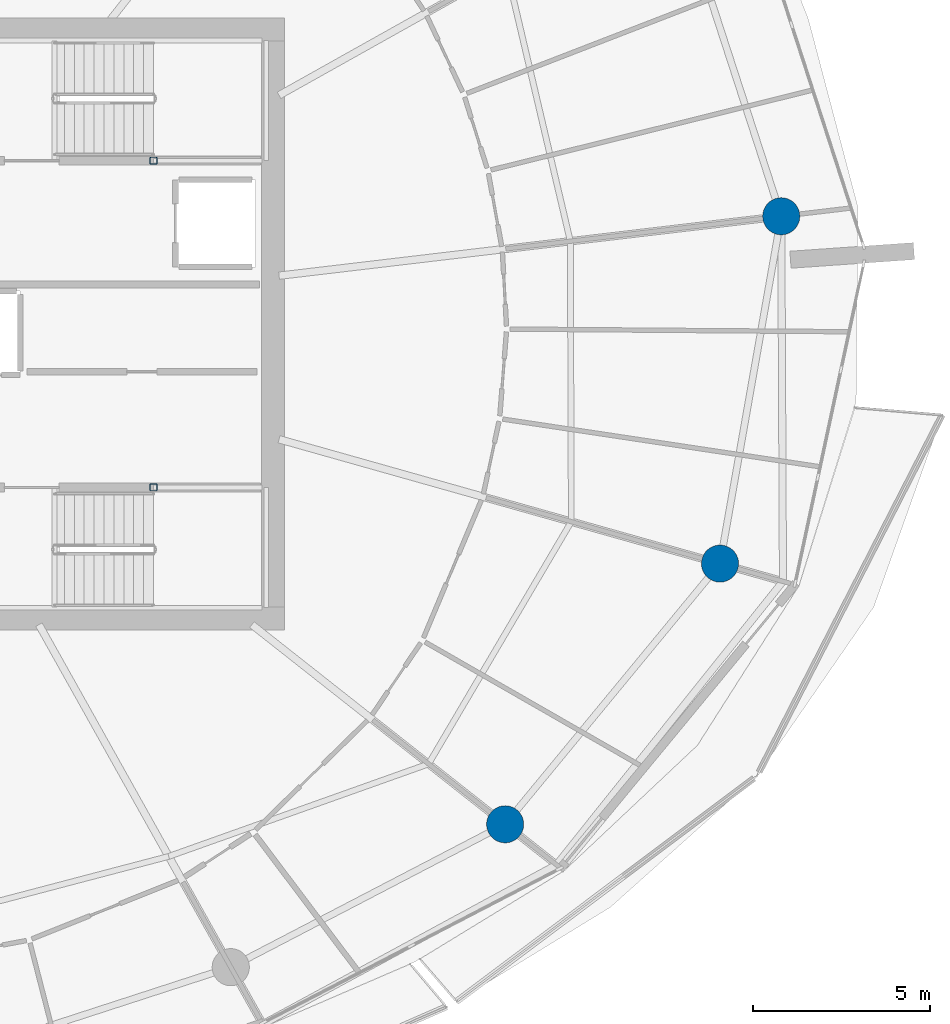
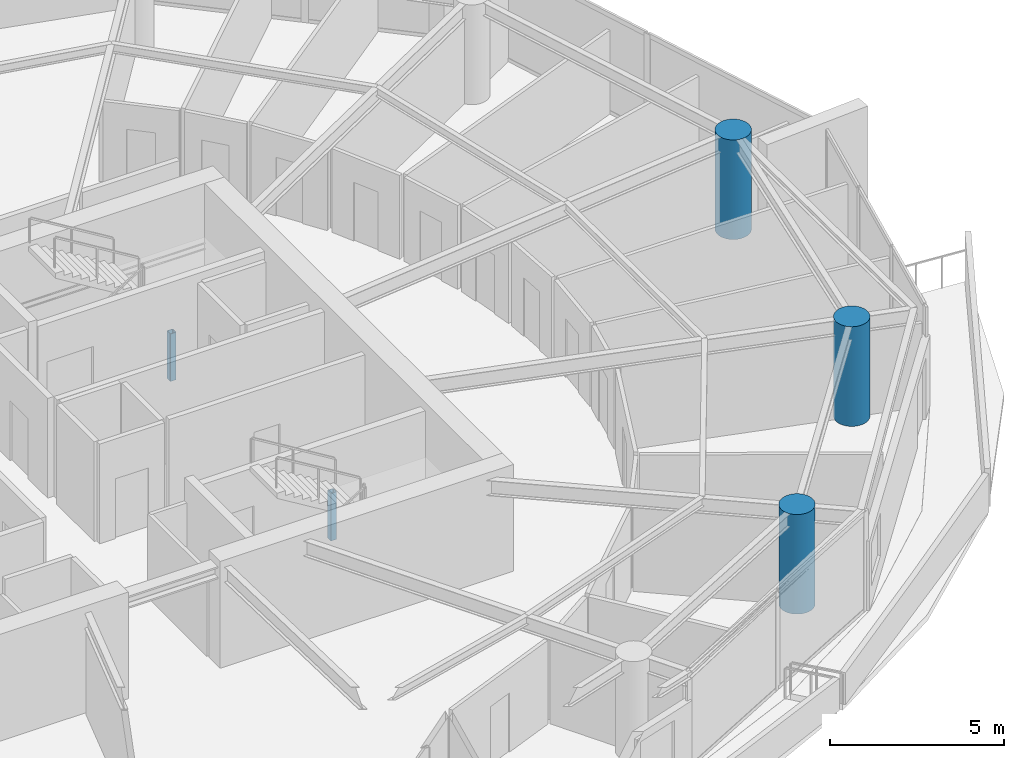
# One storey, part 3 of 21: 5 columns.
"""IFC4 building model written with IfcOpenShell, lengths in metres."""

from ifc_helpers import new_model, si_unit, direction, frame, origin, origin_2d, place, context, subcontext, project, spatial, hollow_rectangle, circle, extrude, material, material_profile, profile_set, type_object, element, save


model = new_model("IFC4")

# Units and contexts
model_context = context("Model", 3, precision=1e-05, world=origin(), true_north=direction((0.0, 1.0)))
body_context = subcontext(model_context, "Body", "Model", "MODEL_VIEW")
ifc_project = project(units=[si_unit("LENGTHUNIT", "METRE"), si_unit("AREAUNIT", "SQUARE_METRE"), si_unit("VOLUMEUNIT", "CUBIC_METRE"), si_unit("PLANEANGLEUNIT", "RADIAN"), si_unit("MASSUNIT", "GRAM", prefix="KILO")], contexts=[model_context])

# Site, building, storey
site_placement = place(None, origin())
site = spatial("IfcSite", under=ifc_project, at=site_placement, CompositionType="ELEMENT")
building_placement = place(site_placement, origin())
building = spatial("IfcBuilding", under=site, at=building_placement, Name="Kazma Halo Residences", CompositionType="ELEMENT")
storey_placement = place(building_placement, frame((0.0, 0.0, 176.550048828125)))
storey = spatial("IfcBuildingStorey", under=building, at=storey_placement, Name="L44", CompositionType="ELEMENT", Elevation=176.550048828125)

# Columns
ifc_material_1 = material(Name="Steel S355", Category="steel")
ifc_material_profile_1 = material_profile(ifc_material_1, hollow_rectangle(XDim=0.199951171875, YDim=0.199951171875, WallThickness=0.010009765625, InnerFilletRadius=0.010009765625, OuterFilletRadius=0.02001953125, at=origin_2d()), Name="SHS200x200x10")
ifc_profile_set_1 = profile_set([ifc_material_profile_1], Name="Steel S355")
column_type_1 = type_object("IfcColumnType", Name="COL-LP-SHS200", PredefinedType="COLUMN", material=ifc_profile_set_1)
for number, where, z_axis, x_axis, name in (
    (1, (56.0, 46.6201171875, 0.0), (0.0, 0.0, 1.0), (1.0, 0.0, 0.0), "L44 ST-02 landing pilaster 1"),
    (2, (56.0, 37.3798828125, 0.0), (0.0, 0.0, 1.0), (1.0, 0.0, 0.0), "L44 ST-03 landing pilaster 1"),
):
    element("IfcColumn", number, at=place(storey_placement, frame(where, z_axis=z_axis, x_axis=x_axis)), inside=storey, type_object=column_type_1, Name=name, PredefinedType="COLUMN", context=body_context, shape_type="SweptSolid", body=[
        extrude(hollow_rectangle(XDim=0.199951171875, YDim=0.199951171875, WallThickness=0.010009765625, InnerFilletRadius=0.010009765625, OuterFilletRadius=0.02001953125, at=origin_2d()), origin(), (0.0, 0.0, 1.0), 1.669921875),
    ])
ifc_material_2 = material(Name="Concrete C80/95", Category="concrete")
ifc_material_profile_2 = material_profile(ifc_material_2, circle(Radius=0.52490234375, at=origin_2d()), Name="CIRC1050")
ifc_profile_set_2 = profile_set([ifc_material_profile_2], Name="Concrete C80/95")
column_type_2 = type_object("IfcColumnType", Name="COL-PERIM-1050", PredefinedType="COLUMN", material=ifc_profile_set_2)
for number, where, z_axis, x_axis, name in (
    (3, (65.944091796875, 27.85400390625, 0.0), (0.0, 0.0, 1.0), (1.0, 0.0, 0.0), "L44 perimeter ring column P14"),
    (4, (72.019775390625, 35.2255859375, 0.0), (0.0, 0.0, 1.0), (1.0, 0.0, 0.0), "L44 perimeter ring column P15"),
    (5, (73.751708984375, 45.0478515625, 0.0), (0.0, 0.0, 1.0), (1.0, 0.0, 0.0), "L44 perimeter ring column P16"),
):
    element("IfcColumn", number, at=place(storey_placement, frame(where, z_axis=z_axis, x_axis=x_axis)), inside=storey, type_object=column_type_2, Name=name, PredefinedType="COLUMN", context=body_context, shape_type="SweptSolid", body=[
        extrude(circle(Radius=0.52490234375, at=origin_2d()), origin(), (0.0, 0.0, 1.0), 3.5),
    ])

save(model, "model.ifc")
